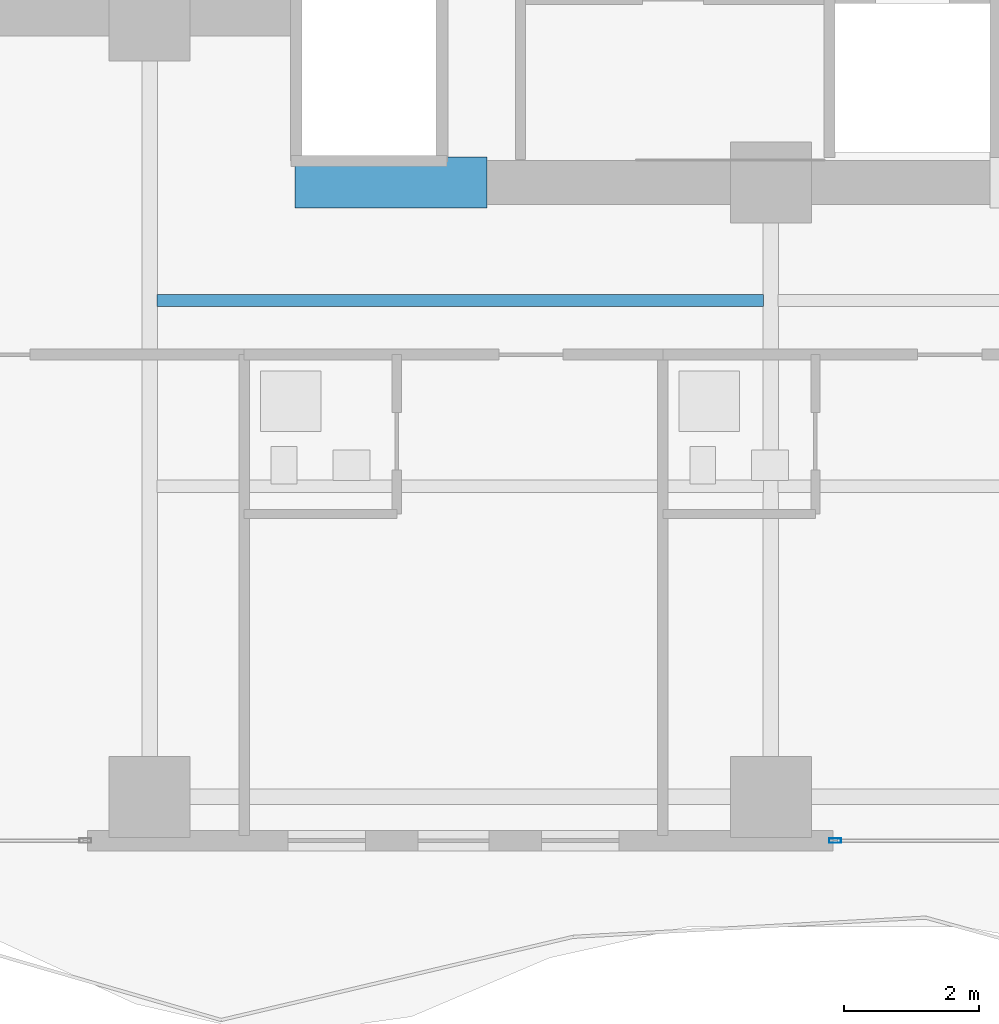
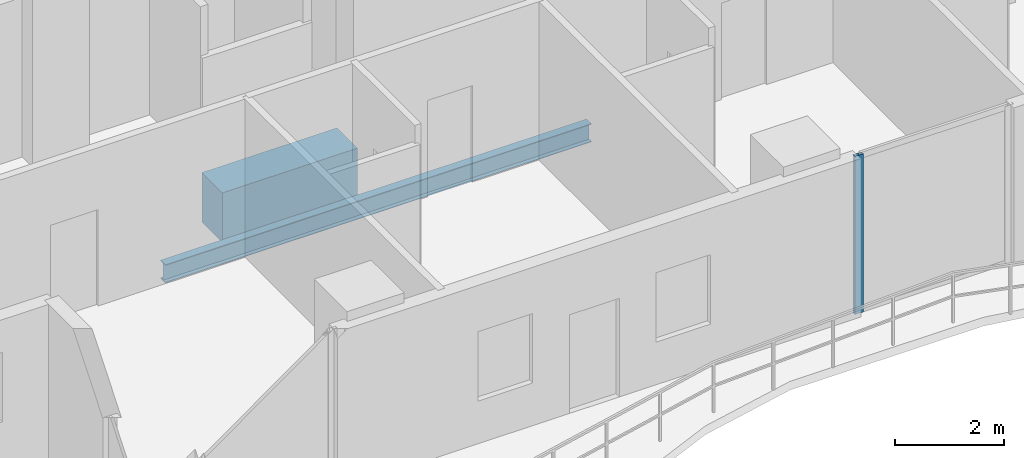
# One storey, part 5 of 32: 2 beams, 1 member, 1 element without a shape of its own.
"""IFC4 building model written with IfcOpenShell, lengths in metres."""

from ifc_helpers import new_model, si_unit, direction, frame, origin, origin_2d, place, context, subcontext, project, spatial, rectangle, hollow_rectangle, i_section, extrude, material, layer, layer_set, material_profile, profile_set, type_object, element, aggregate, save


model = new_model("IFC4")

# Units and contexts
model_context = context("Model", 3, precision=1e-05, world=origin(), true_north=direction((0.0, 1.0)))
body_context = subcontext(model_context, "Body", "Model", "MODEL_VIEW")
ifc_project = project(units=[si_unit("LENGTHUNIT", "METRE"), si_unit("AREAUNIT", "SQUARE_METRE"), si_unit("VOLUMEUNIT", "CUBIC_METRE"), si_unit("PLANEANGLEUNIT", "RADIAN"), si_unit("MASSUNIT", "GRAM", prefix="KILO")], contexts=[model_context])

# Site, building, storey
site_placement = place(None, origin())
site = spatial("IfcSite", under=ifc_project, at=site_placement, CompositionType="ELEMENT")
building_placement = place(site_placement, origin())
building = spatial("IfcBuilding", under=site, at=building_placement, Name="Zuhayl Quay Hotel", CompositionType="ELEMENT")
storey_placement = place(building_placement, frame((0.0, 0.0, 192.39990234375)))
storey = spatial("IfcBuildingStorey", under=building, at=storey_placement, Name="L48", CompositionType="ELEMENT", Elevation=192.39990234375)

# Beams
ifc_material_1 = material(Name="Concrete C60/75", Category="concrete")
ifc_material_profile_1 = material_profile(ifc_material_1, rectangle(XDim=0.75, YDim=1.10009765625, at=origin_2d()), Name="RC750X1100")
ifc_profile_set_1 = profile_set([ifc_material_profile_1], Name="Concrete C60/75")
beam_type_1 = type_object("IfcBeamType", Name="BM_CB2_RC750", PredefinedType="T_BEAM", material=ifc_profile_set_1)
beam_1_placement = place(storey_placement, frame((-11.64990234375, 2.14990234375, -0.77001953125), z_axis=(1.0, 0.0, 0.0), x_axis=(0.0, 1.0, 0.0)))
element("IfcBeam", 1, at=beam_1_placement, inside=storey, type_object=beam_type_1, Name="L48 Core Coupling Beam SW", PredefinedType="T_BEAM", context=body_context, shape_type="SweptSolid", body=[
    extrude(rectangle(XDim=0.75, YDim=1.10009765625, at=origin_2d()), origin(), (0.0, 0.0, 1.0), 2.849853515625),
])
ifc_material_2 = material(Name="Steel ASTM A992 Grade 50", Category="steel")
ifc_material_profile_2 = material_profile(ifc_material_2, i_section(OverallWidth=0.177978515625, OverallDepth=0.406005859375, WebThickness=0.0078125, FlangeThickness=0.0126953125, at=origin_2d()), Name="W16X40")
ifc_profile_set_2 = profile_set([ifc_material_profile_2], Name="Steel ASTM A992 Grade 50")
beam_type_2 = type_object("IfcBeamType", Name="BM_J2B_W16X40", PredefinedType="JOIST", material=ifc_profile_set_2)
beam_2_placement = place(storey_placement, frame((-13.694091796875, 0.39990234375, -0.4228515625), z_axis=(1.0, 0.0, 0.0), x_axis=(0.0, 1.0, 0.0)))
element("IfcBeam", 2, at=beam_2_placement, inside=storey, type_object=beam_type_2, Name="L48 Floor Beam FJ_L48_8_1", PredefinedType="JOIST", context=body_context, shape_type="SweptSolid", body=[
    extrude(i_section(OverallWidth=0.177978515625, OverallDepth=0.406005859375, WebThickness=0.0078125, FlangeThickness=0.0126953125, at=origin_2d()), origin(), (0.0, 0.0, 1.0), 8.988037109375),
])

# Curtain wall, member
ifc_material_3 = material(Name="Anodised Aluminium 6063-T6", Category="aluminium")
ifc_layer = layer(ifc_material_3, 0.175048828125, Name="Anodised Aluminium 6063-T6", Category="aluminium")
ifc_layer_set = layer_set([ifc_layer], Name="Anodised Aluminium 6063-T6")
curtain_wall_type = type_object("IfcCurtainWallType", Name="CW_SYS_Z3", PredefinedType="USERDEFINED", material=ifc_layer_set)
curtain_wall_placement = place(storey_placement, origin())
curtain_wall = element("IfcCurtainWall", 3, at=curtain_wall_placement, inside=storey, type_object=curtain_wall_type, Name="L48 Curtain Wall ENV_L48_S_CW4", ObjectType="UNITISED CURTAIN WALL", PredefinedType="USERDEFINED")
ifc_material_4 = material(Name="Black-anodised aluminium 6063-T6", Category="aluminium")
ifc_material_profile_3 = material_profile(ifc_material_4, hollow_rectangle(XDim=0.06494140625, YDim=0.179931640625, WallThickness=0.00341796875, at=origin_2d()), Name="ALU180X65")
ifc_profile_set_3 = profile_set([ifc_material_profile_3], Name="Black-anodised aluminium 6063-T6")
member_type = type_object("IfcMemberType", Name="MB_CW_MUL_180", PredefinedType="MULLION", material=ifc_profile_set_3)
member_placement = place(storey_placement, frame((-3.6474609375, -7.60009765625, 0.0), z_axis=(0.0, 0.0, 1.0), x_axis=(0.0, -1.0, 0.0)))
member = element("IfcMember", 4, at=member_placement, type_object=member_type, Name="CW-Z3 mullion 2", PredefinedType="MULLION", context=body_context, shape_type="SweptSolid", body=[
    extrude(hollow_rectangle(XDim=0.06494140625, YDim=0.179931640625, WallThickness=0.00341796875, at=origin_2d()), origin(), (0.0, 0.0, 1.0), 3.530029296875),
])
aggregate(curtain_wall, [member])

save(model, "model.ifc")
